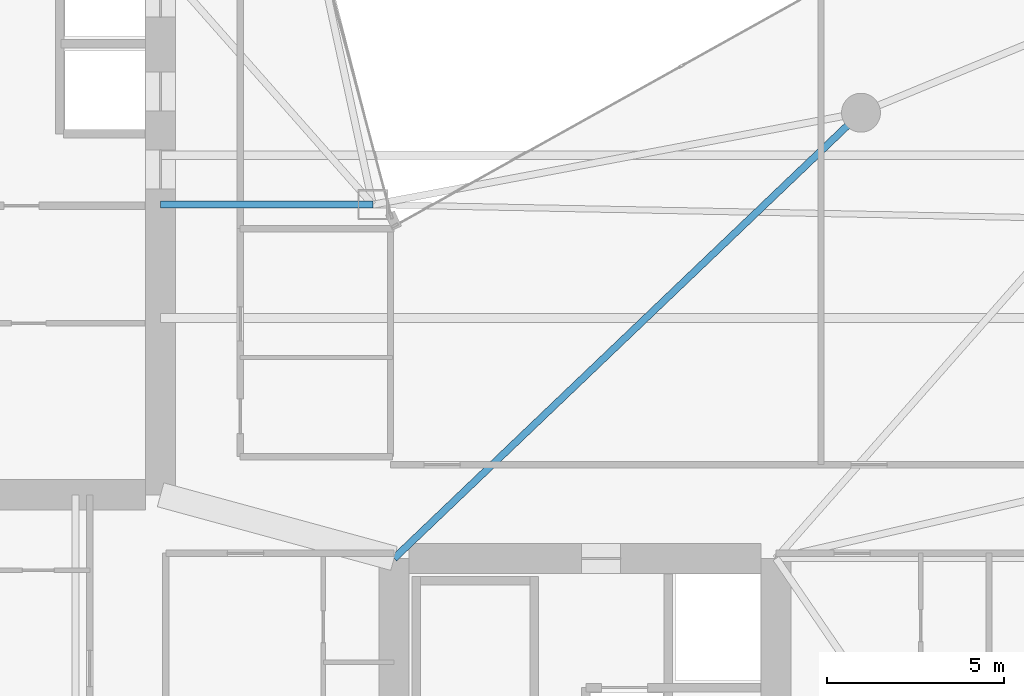
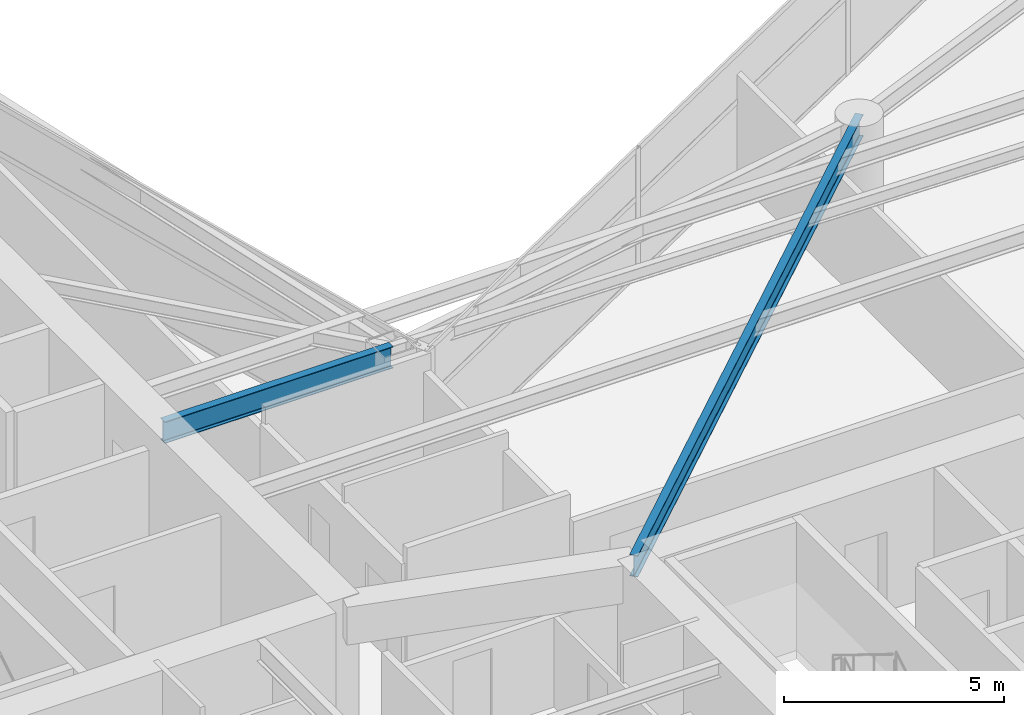
# One storey, part 9 of 28: 2 beams.
"""IFC4 building model written with IfcOpenShell, lengths in metres."""

from ifc_helpers import new_model, si_unit, direction, frame, origin, origin_2d, place, context, subcontext, project, spatial, i_section, extrude, material, material_profile, profile_set, type_object, element, save


model = new_model("IFC4")

# Units and contexts
model_context = context("Model", 3, precision=1e-05, world=origin(), true_north=direction((0.0, 1.0)))
body_context = subcontext(model_context, "Body", "Model", "MODEL_VIEW")
ifc_project = project(units=[si_unit("LENGTHUNIT", "METRE"), si_unit("AREAUNIT", "SQUARE_METRE"), si_unit("VOLUMEUNIT", "CUBIC_METRE"), si_unit("PLANEANGLEUNIT", "RADIAN"), si_unit("MASSUNIT", "GRAM", prefix="KILO")], contexts=[model_context])

# Site, building, storey
site_placement = place(None, origin())
site = spatial("IfcSite", under=ifc_project, at=site_placement, CompositionType="ELEMENT")
building_placement = place(site_placement, origin())
building = spatial("IfcBuilding", under=site, at=building_placement, Name="Calvorn Quay Hotel", CompositionType="ELEMENT")
storey_placement = place(building_placement, frame((0.0, 0.0, 156.10009765625)))
storey = spatial("IfcBuildingStorey", under=building, at=storey_placement, Name="L38", CompositionType="ELEMENT", Elevation=156.10009765625)

# Beams
ifc_material = material(Name="Steel Q355B", Category="steel")
ifc_material_profile = material_profile(ifc_material, i_section(OverallWidth=0.199951171875, OverallDepth=0.60009765625, WebThickness=0.010986328125, FlangeThickness=0.01708984375, FilletRadius=0.01806640625, at=origin_2d()), Name="HN600x200x11x17")
ifc_profile_set = profile_set([ifc_material_profile], Name="Steel Q355B")
beam_type = type_object("IfcBeamType", Name="BM-GIRD-TYP", PredefinedType="BEAM", material=ifc_profile_set)
beam_1_placement = place(storey_placement, frame((21.0, 25.0, 3.239990234375), z_axis=(-1.0, 0.0, 0.0), x_axis=(0.0, -1.0, 0.0)))
element("IfcBeam", 1, at=beam_1_placement, inside=storey, type_object=beam_type, Name="Beam BG-L38-W7", PredefinedType="BEAM", context=body_context, shape_type="SweptSolid", body=[
    extrude(i_section(OverallWidth=0.199951171875, OverallDepth=0.60009765625, WebThickness=0.010986328125, FlangeThickness=0.01708984375, FilletRadius=0.01806640625, at=origin_2d()), origin(), (0.0, 0.0, 1.0), 6.0),
])
beam_2_placement = place(storey_placement, frame((21.60009765625, 15.0, 3.239990234375), z_axis=(0.723351595578, 0.690479883252, 0.0), x_axis=(-0.690479883252, 0.723351595578, 0.0)))
element("IfcBeam", 2, at=beam_2_placement, inside=storey, type_object=beam_type, Name="Beam BG-L38-E4", PredefinedType="BEAM", context=body_context, shape_type="SweptSolid", body=[
    extrude(i_section(OverallWidth=0.199951171875, OverallDepth=0.60009765625, WebThickness=0.010986328125, FlangeThickness=0.01708984375, FilletRadius=0.01806640625, at=origin_2d()), origin(), (0.0, 0.0, 1.0), 18.248291015625),
])

save(model, "model.ifc")
